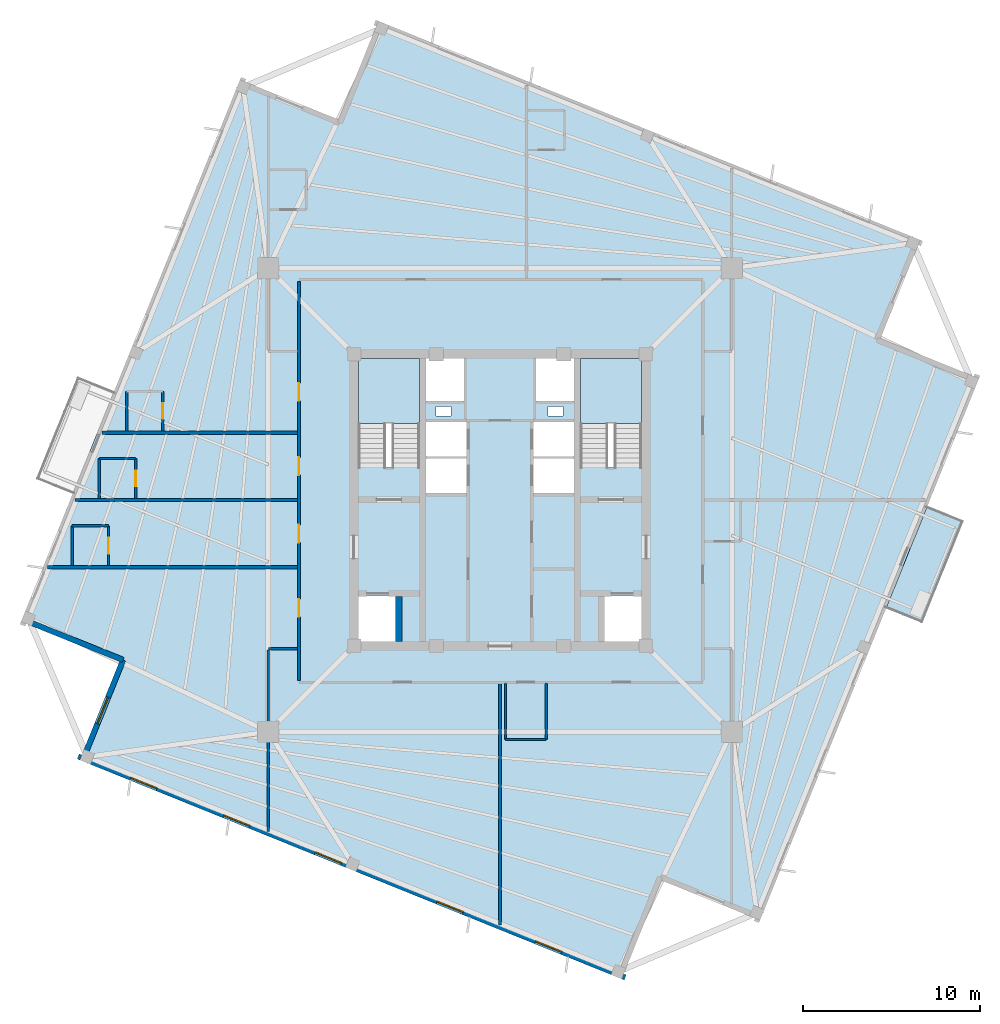
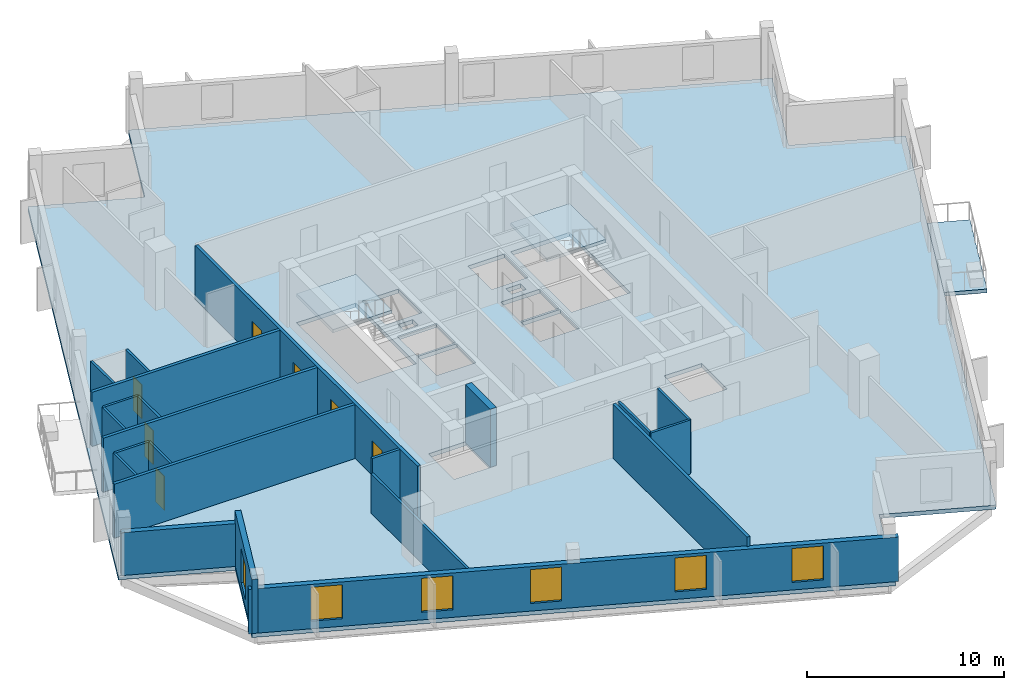
# One storey, part 2 of 8: 22 walls, 7 doors, 6 windows, 4 slabs, 13 openings, 2 elements without a shape of their own.
"""IFC4 building model written with IfcOpenShell, lengths in metres."""

from ifc_helpers import new_model, si_unit, direction, frame, frame_2d, origin, place, context, subcontext, project, spatial, polyline, rectangle, outline, extrude, source, transform, mapped, material, layer, layer_set, type_object, element, fill, aggregate, save


model = new_model("IFC4")

# Units and contexts
model_context = context("Model", 3, precision=1e-05, world=origin(), true_north=direction((0.0, 1.0)))
body_context = subcontext(model_context, "Body", "Model", "MODEL_VIEW")
ifc_project = project(units=[si_unit("LENGTHUNIT", "METRE"), si_unit("AREAUNIT", "SQUARE_METRE"), si_unit("VOLUMEUNIT", "CUBIC_METRE"), si_unit("PLANEANGLEUNIT", "RADIAN"), si_unit("MASSUNIT", "GRAM", prefix="KILO"), si_unit("THERMODYNAMICTEMPERATUREUNIT", "KELVIN")], contexts=[model_context])

# Site, building, storey
site_placement = place(None, origin())
site = spatial("IfcSite", under=ifc_project, at=site_placement, CompositionType="ELEMENT")
building_placement = place(site_placement, origin())
building = spatial("IfcBuilding", under=site, at=building_placement, Name="Kosmvard Interchange Tower", CompositionType="ELEMENT")
storey_placement = place(building_placement, frame((0.0, 0.0, 290.39990234375)))
storey = spatial("IfcBuildingStorey", under=building, at=storey_placement, Name="L71", CompositionType="ELEMENT", Elevation=290.39990234375)

# Slab
ifc_material_1 = material(Name="Concrete C50/60", Category="concrete")
ifc_layer_1 = layer(ifc_material_1, 0.25, Name="Concrete C50/60")
ifc_layer_set_1 = layer_set([ifc_layer_1], Name="Concrete C50/60")
slab_type_1 = type_object("IfcSlabType", Name="Hotel Acoustic Floor Slab 250 C50/60", PredefinedType="FLOOR", material=ifc_layer_set_1)
slab_1_placement = place(storey_placement, frame((0.0, 0.0, -0.25)))
element("IfcSlab", 1, at=slab_1_placement, inside=storey, type_object=slab_type_1, Name="L71 Structural Floor Slab", PredefinedType="FLOOR", context=body_context, shape_type="SweptSolid", body=[
    extrude(outline(polyline([(14.6806640625, -23.727294921875), (27.042724609375, 6.869873046875), (21.4794921875, 9.117431640625), (23.727294921875, 14.6806640625), (-6.869873046875, 27.042724609375), (-9.117431640625, 21.4794921875), (-14.6806640625, 23.727294921875), (-27.042724609375, -6.869873046875), (-21.4794921875, -9.117431640625), (-23.727294921875, -14.6806640625), (6.869873046875, -27.042724609375), (9.117431640625, -21.4794921875), (14.6806640625, -23.727294921875)]), holes=[polyline([(-8.0, 1.8349609375), (-4.5400390625, 1.8349609375), (-4.5400390625, 8.0), (-8.0, 8.0), (-8.0, 1.8349609375)]), polyline([(4.5400390625, 1.8349609375), (8.0, 1.8349609375), (8.0, 8.0), (4.5400390625, 8.0), (4.5400390625, 1.8349609375)]), polyline([(-8.0, -8.0), (-5.800048828125, -8.0), (-5.800048828125, -5.39990234375), (-8.0, -5.39990234375), (-8.0, -8.0)]), polyline([(5.800048828125, -8.0), (8.0, -8.0), (8.0, -5.39990234375), (5.800048828125, -5.39990234375), (5.800048828125, -8.0)]), polyline([(-4.179931640625, 0.39990234375), (-1.8798828125, 0.39990234375), (-1.8798828125, 2.340087890625), (-4.179931640625, 2.340087890625), (-4.179931640625, 0.39990234375)]), polyline([(-4.179931640625, 2.4599609375), (-1.8798828125, 2.4599609375), (-1.8798828125, 4.39990234375), (-4.179931640625, 4.39990234375), (-4.179931640625, 2.4599609375)]), polyline([(1.8798828125, 0.39990234375), (4.179931640625, 0.39990234375), (4.179931640625, 2.340087890625), (1.8798828125, 2.340087890625), (1.8798828125, 0.39990234375)]), polyline([(1.8798828125, 2.4599609375), (4.179931640625, 2.4599609375), (4.179931640625, 4.39990234375), (1.8798828125, 4.39990234375), (1.8798828125, 2.4599609375)]), polyline([(-4.179931640625, 5.60009765625), (-2.0400390625, 5.60009765625), (-2.0400390625, 8.0), (-4.179931640625, 8.0), (-4.179931640625, 5.60009765625)]), polyline([(2.0400390625, 5.60009765625), (4.179931640625, 5.60009765625), (4.179931640625, 8.0), (2.0400390625, 8.0), (2.0400390625, 5.60009765625)]), polyline([(-3.614990234375, 4.739990234375), (-2.764892578125, 4.739990234375), (-2.764892578125, 5.2900390625), (-3.614990234375, 5.2900390625), (-3.614990234375, 4.739990234375)]), polyline([(2.715087890625, 4.739990234375), (3.56494140625, 4.739990234375), (3.56494140625, 5.2900390625), (2.715087890625, 5.2900390625), (2.715087890625, 4.739990234375)])]), origin(), (0.0, 0.0, 1.0), 0.25),
])

# Stair, slab
stair_type = type_object("IfcStairType", Name="Dog-Leg Core Exit Stair H3600 C50/60", PredefinedType="HALF_TURN_STAIR", material=ifc_material_1)
stair_1_placement = place(storey_placement, origin())
stair_1 = element("IfcStair", 2, at=stair_1_placement, inside=storey, type_object=stair_type, Name="L71 Protected Exit Stair ST-1", PredefinedType="HALF_TURN_STAIR")
ifc_layer_2 = layer(ifc_material_1, 0.199951171875, Name="Concrete C50/60")
ifc_layer_set_2 = layer_set([ifc_layer_2], Name="Concrete C50/60")
slab_type_2 = type_object("IfcSlabType", Name="Stair Half-Landing Slab 200 C50/60", PredefinedType="LANDING", material=ifc_layer_set_2)
slab_2_placement = place(storey_placement, frame((0.0, 0.0, 1.60009765625)))
slab_2 = element("IfcSlab", 3, at=slab_2_placement, type_object=slab_type_2, Name="ST-1 landing 1", PredefinedType="LANDING", context=body_context, shape_type="SweptSolid", body=[
    extrude(outline(polyline([(-4.5400390625, 4.320068359375), (-4.5400390625, 8.0), (-8.0, 8.0), (-8.0, 4.320068359375), (-4.5400390625, 4.320068359375)])), origin(), (0.0, 0.0, 1.0), 0.199951171875),
])
aggregate(stair_1, [slab_2])

stair_2_placement = place(storey_placement, origin())
stair_2 = element("IfcStair", 4, at=stair_2_placement, inside=storey, type_object=stair_type, Name="L71 Protected Exit Stair ST-2", PredefinedType="HALF_TURN_STAIR")
slab_3_placement = place(storey_placement, frame((0.0, 0.0, 1.60009765625)))
slab_3 = element("IfcSlab", 5, at=slab_3_placement, type_object=slab_type_2, Name="ST-2 landing 1", PredefinedType="LANDING", context=body_context, shape_type="SweptSolid", body=[
    extrude(outline(polyline([(8.0, 4.320068359375), (8.0, 8.0), (4.5400390625, 8.0), (4.5400390625, 4.320068359375), (8.0, 4.320068359375)])), origin(), (0.0, 0.0, 1.0), 0.199951171875),
])
aggregate(stair_2, [slab_3])

# Slab
ifc_layer_3 = layer(ifc_material_1, 0.22998046875, Name="Concrete C50/60")
ifc_layer_set_3 = layer_set([ifc_layer_3], Name="Concrete C50/60")
slab_type_3 = type_object("IfcSlabType", Name="Tree-Planter Cantilever Balcony Slab 230 C50/60", PredefinedType="FLOOR", material=ifc_layer_set_3)
slab_4_placement = place(storey_placement, frame((0.0, 0.0, -0.22998046875)))
element("IfcSlab", 6, at=slab_4_placement, inside=storey, type_object=slab_type_3, Name="L71 Outdoor Terrace Balcony Slab BAL-L71-SW", PredefinedType="FLOOR", context=body_context, shape_type="SweptSolid", body=[
    extrude(outline(polyline([(23.837890625, -6.934814453125), (26.160400390625, -1.186279296875), (24.12060546875, -0.362060546875), (21.798095703125, -6.110595703125), (23.837890625, -6.934814453125)])), origin(), (0.0, 0.0, 1.0), 0.22998046875),
])

# Walls
ifc_material_2 = material(Name="Acoustic gypsum partition system")
ifc_layer_4 = layer(ifc_material_2, 0.14990234375, Name="Acoustic gypsum partition system")
ifc_layer_set_4 = layer_set([ifc_layer_4], Name="Acoustic gypsum partition system")
wall_type_1 = type_object("IfcWallType", Name="Acoustic Suite & Meeting Partition 150", PredefinedType="PARTITIONING", material=ifc_layer_set_4)
wall_1_placement = place(storey_placement, frame((-11.445068359375, -8.39990234375, 0.0), z_axis=(0.0, 0.0, 1.0), x_axis=(-1.0, 0.0, 0.0)))
element("IfcWall", 7, at=wall_1_placement, inside=storey, type_object=wall_type_1, Name="L71 Room Partition 13.1", PredefinedType="PARTITIONING", context=body_context, shape_type="SweptSolid", body=[
    extrude(rectangle(XDim=1.635986328125, YDim=0.14990234375, at=frame_2d((0.81787109375, 0.0))), origin(), (0.0, 0.0, 1.0), 3.35009765625),
])
wall_2_placement = place(storey_placement, frame((-13.0810546875, -8.47509765625, 0.0), z_axis=(0.0, 0.0, 1.0), x_axis=(0.0, -1.0, 0.0)))
element("IfcWall", 8, at=wall_2_placement, inside=storey, type_object=wall_type_1, Name="L71 Room Partition 14.1", PredefinedType="PARTITIONING", context=body_context, shape_type="SweptSolid", body=[
    extrude(rectangle(XDim=10.24267578125, YDim=0.14990234375, at=frame_2d((5.121337890625, 0.0))), origin(), (0.0, 0.0, 1.0), 2.4501953125),
])

# Wall, openings, doors
ifc_material_3 = material(Name="Fire-rated gypsum partition system")
ifc_layer_5 = layer(ifc_material_3, 0.179931640625, Name="Fire-rated gypsum partition system")
ifc_layer_set_5 = layer_set([ifc_layer_5], Name="Fire-rated gypsum partition system")
wall_type_2 = type_object("IfcWallType", Name="Corridor & Hotel Compartment Partition 180", PredefinedType="PARTITIONING", material=ifc_layer_set_5)
wall_3_placement = place(storey_placement, frame((-11.35009765625, -10.199951171875, 0.0), z_axis=(0.0, 0.0, 1.0), x_axis=(0.0, 1.0, 0.0)))
wall_3 = element("IfcWall", 9, at=wall_3_placement, inside=storey, type_object=wall_type_2, Name="L71 Corridor Wall CW", PredefinedType="PARTITIONING", context=body_context, shape_type="SweptSolid", body=[
    extrude(rectangle(XDim=22.550048828125, YDim=0.179931640625, at=frame_2d((11.27490234375, 0.0))), origin(), (0.0, 0.0, 1.0), 3.35009765625),
])
opening_1_placement = place(wall_3_placement, frame((11.60009765625, 0.0, 0.0)))
opening_1 = element("IfcOpeningElement", 10, at=opening_1_placement, cuts=wall_3, Name="Opening L71-D02", PredefinedType="OPENING", context=body_context, shape_type="SweptSolid", body=[
    extrude(rectangle(XDim=1.0, YDim=2.14990234375, at=frame_2d((0.5, 1.074951171875))), frame((0.0, 0.10009765625, 0.0), z_axis=(0.0, -1.0, 0.0), x_axis=(1.0, 0.0, 0.0)), (0.0, 0.0, 1.0), 0.199951171875),
])
opening_2_placement = place(wall_3_placement, frame((15.800048828125, 0.0, 0.0)))
opening_2 = element("IfcOpeningElement", 11, at=opening_2_placement, cuts=wall_3, Name="Opening L71-D04", PredefinedType="OPENING", context=body_context, shape_type="SweptSolid", body=[
    extrude(rectangle(XDim=1.0, YDim=2.14990234375, at=frame_2d((0.5, 1.074951171875))), frame((0.0, 0.10009765625, 0.0), z_axis=(0.0, -1.0, 0.0), x_axis=(1.0, 0.0, 0.0)), (0.0, 0.0, 1.0), 0.199951171875),
])
opening_3_placement = place(wall_3_placement, frame((3.60009765625, 0.0, 0.0)))
opening_3 = element("IfcOpeningElement", 12, at=opening_3_placement, cuts=wall_3, Name="Opening L71-D15", PredefinedType="OPENING", context=body_context, shape_type="SweptSolid", body=[
    extrude(rectangle(XDim=1.0, YDim=2.14990234375, at=frame_2d((0.5, 1.074951171875))), frame((0.0, 0.10009765625, 0.0), z_axis=(0.0, -1.0, 0.0), x_axis=(1.0, 0.0, 0.0)), (0.0, 0.0, 1.0), 0.199951171875),
])
opening_4_placement = place(wall_3_placement, frame((7.800048828125, 0.0, 0.0)))
opening_4 = element("IfcOpeningElement", 13, at=opening_4_placement, cuts=wall_3, Name="Opening L71-D16", PredefinedType="OPENING", context=body_context, shape_type="SweptSolid", body=[
    extrude(rectangle(XDim=1.0, YDim=2.14990234375, at=frame_2d((0.5, 1.074951171875))), frame((0.0, 0.10009765625, 0.0), z_axis=(0.0, -1.0, 0.0), x_axis=(1.0, 0.0, 0.0)), (0.0, 0.0, 1.0), 0.199951171875),
])
ifc_material_4 = material(Name="Engineered oak fire-rated timber", Category="wood")
door_type_1 = type_object("IfcDoorType", Name="Hotel Guestroom Entrance Door 1000x2150 EI60", OperationType="NOTDEFINED", PredefinedType="DOOR", material=ifc_material_4)
shared_shape_1 = source(origin(), body_context, "Body", "SweptSolid", [
    extrude(rectangle(XDim=1.0, YDim=2.14990234375, at=frame_2d((0.5, 1.074951171875))), frame((0.0, 0.02490234375, 0.0), z_axis=(0.0, -1.0, 0.0), x_axis=(1.0, 0.0, 0.0)), (0.0, 0.0, 1.0), 0.050048828125),
])
door_1_placement = place(opening_1_placement, origin())
door_1 = element("IfcDoor", 14, at=door_1_placement, inside=storey, type_object=door_type_1, Name="L71 Hotel Diplomatic Suite 1 Door", OperationType="SINGLE_SWING_RIGHT", OverallHeight=2.14990234375, OverallWidth=1.0, PredefinedType="DOOR", context=body_context, shape_type="MappedRepresentation", body=[
    mapped(shared_shape_1, transform((0.0, 0.0, 0.0), scale=1.0)),
])
fill(opening_1, door_1)
door_2_placement = place(opening_2_placement, origin())
door_2 = element("IfcDoor", 15, at=door_2_placement, inside=storey, type_object=door_type_1, Name="L71 Hotel Ambassador Suite 2 Door", OperationType="SINGLE_SWING_RIGHT", OverallHeight=2.14990234375, OverallWidth=1.0, PredefinedType="DOOR", context=body_context, shape_type="MappedRepresentation", body=[
    mapped(shared_shape_1, transform((0.0, 0.0, 0.0), scale=1.0)),
])
fill(opening_2, door_2)
door_3_placement = place(opening_3_placement, origin())
door_3 = element("IfcDoor", 16, at=door_3_placement, inside=storey, type_object=door_type_1, Name="L71 Hotel Treaty Briefing Room 2 Door", OperationType="SINGLE_SWING_LEFT", OverallHeight=2.14990234375, OverallWidth=1.0, PredefinedType="DOOR", context=body_context, shape_type="MappedRepresentation", body=[
    mapped(shared_shape_1, transform((0.0, 0.0, 0.0), scale=1.0)),
])
fill(opening_3, door_3)
door_4_placement = place(opening_4_placement, origin())
door_4 = element("IfcDoor", 17, at=door_4_placement, inside=storey, type_object=door_type_1, Name="L71 Hotel North-West Corner Suite 6 Door", OperationType="SINGLE_SWING_RIGHT", OverallHeight=2.14990234375, OverallWidth=1.0, PredefinedType="DOOR", context=body_context, shape_type="MappedRepresentation", body=[
    mapped(shared_shape_1, transform((0.0, 0.0, 0.0), scale=1.0)),
])
fill(opening_4, door_4)

# Walls
wall_4_placement = place(storey_placement, frame((0.0, -10.39501953125, 0.0), z_axis=(0.0, 0.0, 1.0), x_axis=(0.0, -1.0, 0.0)))
element("IfcWall", 18, at=wall_4_placement, inside=storey, type_object=wall_type_2, Name="L71 Room Partition 03.1", PredefinedType="PARTITIONING", context=body_context, shape_type="SweptSolid", body=[
    extrude(rectangle(XDim=13.607666015625, YDim=0.179931640625, at=frame_2d((6.8037109375, 0.0))), origin(), (0.0, 0.0, 1.0), 3.35009765625),
])
wall_5_placement = place(storey_placement, frame((-11.445068359375, -3.800048828125, 0.0), z_axis=(0.0, 0.0, 1.0), x_axis=(-1.0, 0.0, 0.0)))
element("IfcWall", 19, at=wall_5_placement, inside=storey, type_object=wall_type_2, Name="L71 Room Partition 04.1", PredefinedType="PARTITIONING", context=body_context, shape_type="SweptSolid", body=[
    extrude(rectangle(XDim=14.093017578125, YDim=0.179931640625, at=frame_2d((7.04638671875, 0.0))), origin(), (0.0, 0.0, 1.0), 3.35009765625),
])
wall_6_placement = place(storey_placement, frame((-11.445068359375, 0.0, 0.0), z_axis=(0.0, 0.0, 1.0), x_axis=(-1.0, 0.0, 0.0)))
element("IfcWall", 20, at=wall_6_placement, inside=storey, type_object=wall_type_2, Name="L71 Room Partition 05.1", PredefinedType="PARTITIONING", context=body_context, shape_type="SweptSolid", body=[
    extrude(rectangle(XDim=12.5576171875, YDim=0.179931640625, at=frame_2d((6.27880859375, 0.0))), origin(), (0.0, 0.0, 1.0), 3.35009765625),
])
wall_7_placement = place(storey_placement, frame((-11.445068359375, 3.800048828125, 0.0), z_axis=(0.0, 0.0, 1.0), x_axis=(-1.0, 0.0, 0.0)))
element("IfcWall", 21, at=wall_7_placement, inside=storey, type_object=wall_type_2, Name="L71 Room Partition 06.1", PredefinedType="PARTITIONING", context=body_context, shape_type="SweptSolid", body=[
    extrude(rectangle(XDim=11.0224609375, YDim=0.179931640625, at=frame_2d((5.51123046875, 0.0))), origin(), (0.0, 0.0, 1.0), 3.35009765625),
])
ifc_material_5 = material(Name="Concrete C60/75", Category="concrete")
ifc_layer_6 = layer(ifc_material_5, 0.360107421875, Name="Concrete C60/75")
ifc_layer_set_6 = layer_set([ifc_layer_6], Name="Concrete C60/75")
wall_type_3 = type_object("IfcWallType", Name="Stair & Lift Shaft Shear Wall 360 C60/75", PredefinedType="SHEAR", material=ifc_layer_set_6)
wall_8_placement = place(storey_placement, frame((-5.7099609375, -8.0, 0.0), z_axis=(0.0, 0.0, 1.0), x_axis=(0.0, 1.0, 0.0)))
element("IfcWall", 22, at=wall_8_placement, inside=storey, type_object=wall_type_3, Name="L71 Shaft Shear Wall SW-SM1", PredefinedType="SHEAR", context=body_context, shape_type="SweptSolid", body=[
    extrude(rectangle(XDim=2.5400390625, YDim=0.360107421875, at=frame_2d((1.27001953125, 0.0))), origin(), (0.0, 0.0, 1.0), 3.60009765625),
])
ifc_material_6 = material(Name="Precast concrete C45/55", Category="concrete")
ifc_layer_7 = layer(ifc_material_6, 0.31005859375, Name="Precast concrete C45/55")
ifc_layer_set_7 = layer_set([ifc_layer_7], Name="Precast concrete C45/55")
wall_type_4 = type_object("IfcWallType", Name="Upper Tower Precast Pier Wall 310 C45/55", PredefinedType="STANDARD", material=ifc_layer_set_7)
wall_9_placement = place(storey_placement, frame((-26.8408203125, -6.7841796875, 0.0), z_axis=(0.0, 0.0, 1.0), x_axis=(0.927171722085, -0.374636620962, 0.0)))
element("IfcWall", 23, at=wall_9_placement, inside=storey, type_object=wall_type_4, Name="L71 Precast Facade Wall N-NW1", PredefinedType="STANDARD", context=body_context, shape_type="SweptSolid", body=[
    extrude(rectangle(XDim=6.0, YDim=0.31005859375, at=frame_2d((3.0, 0.0))), origin(), (0.0, 0.0, 1.0), 2.650146484375),
])

# Wall, opening, window
wall_10_placement = place(storey_placement, frame((-21.27783203125, -9.031982421875, 0.0), z_axis=(0.0, 0.0, 1.0), x_axis=(-0.374602739196, -0.927185411764, 0.0)))
wall_10 = element("IfcWall", 24, at=wall_10_placement, inside=storey, type_object=wall_type_4, Name="L71 Precast Facade Wall N-NW2", PredefinedType="STANDARD", context=body_context, shape_type="SweptSolid", body=[
    extrude(rectangle(XDim=6.155029296875, YDim=0.31005859375, at=frame_2d((3.07763671875, 0.0))), origin(), (0.0, 0.0, 1.0), 3.35009765625),
])
opening_5_placement = place(wall_10_placement, frame((2.277587890625, 0.0, 0.469970703125)))
opening_5 = element("IfcOpeningElement", 25, at=opening_5_placement, cuts=wall_10, Name="Opening L71-W20", PredefinedType="OPENING", context=body_context, shape_type="SweptSolid", body=[
    extrude(rectangle(XDim=1.60009765625, YDim=2.10009765625, at=frame_2d((0.800048828125, 1.050048828125))), frame((0.0, 0.1650390625, 0.0), z_axis=(0.0, -1.0, 0.0), x_axis=(1.0, 0.0, 0.0)), (0.0, 0.0, 1.0), 0.330078125),
])
ifc_material_7 = material(Name="Low-E acoustic double glazing", Category="glass")
window_type = type_object("IfcWindowType", Name="Zone 5 Hotel Punched Window 1600x2100", PartitioningType="SINGLE_PANEL", PredefinedType="WINDOW", material=ifc_material_7)
shared_shape_2 = source(origin(), body_context, "Body", "SweptSolid", [
    extrude(rectangle(XDim=1.60009765625, YDim=2.10009765625, at=frame_2d((0.800048828125, 1.050048828125))), frame((0.0, 0.030029296875, 0.0), z_axis=(0.0, -1.0, 0.0), x_axis=(1.0, 0.0, 0.0)), (0.0, 0.0, 1.0), 0.06005859375),
])
window_1_placement = place(opening_5_placement, origin())
window_1 = element("IfcWindow", 26, at=window_1_placement, inside=storey, type_object=window_type, Name="L71 Corner Notch Window 20", OverallHeight=2.10009765625, OverallWidth=1.60009765625, PartitioningType="SINGLE_PANEL", PredefinedType="WINDOW", context=body_context, shape_type="MappedRepresentation", body=[
    mapped(shared_shape_2, transform((0.0, 0.0, 0.0), scale=1.0)),
])
fill(opening_5, window_1)

# Wall, openings, windows
wall_11_placement = place(storey_placement, frame((-23.812744140625, -14.478759765625, 0.0), z_axis=(0.0, 0.0, 1.0), x_axis=(0.927182657188, -0.374609557019, 0.0)))
wall_11 = element("IfcWall", 27, at=wall_11_placement, inside=storey, type_object=wall_type_4, Name="L71 Precast Facade Wall F-W", PredefinedType="STANDARD", context=body_context, shape_type="SweptSolid", body=[
    extrude(rectangle(XDim=33.31005859375, YDim=0.31005859375, at=frame_2d((16.655029296875, 0.0))), origin(), (0.0, 0.0, 1.0), 2.75),
])
opening_6_placement = place(wall_11_placement, frame((3.197265625, 0.0, 0.469970703125)))
opening_6 = element("IfcOpeningElement", 28, at=opening_6_placement, cuts=wall_11, Name="Opening L71-W13", PredefinedType="OPENING", context=body_context, shape_type="SweptSolid", body=[
    extrude(rectangle(XDim=1.60009765625, YDim=2.10009765625, at=frame_2d((0.800048828125, 1.050048828125))), frame((0.0, 0.1650390625, 0.0), z_axis=(0.0, -1.0, 0.0), x_axis=(1.0, 0.0, 0.0)), (0.0, 0.0, 1.0), 0.330078125),
])
opening_7_placement = place(wall_11_placement, frame((8.85986328125, 0.0, 0.469970703125)))
opening_7 = element("IfcOpeningElement", 29, at=opening_7_placement, cuts=wall_11, Name="Opening L71-W14", PredefinedType="OPENING", context=body_context, shape_type="SweptSolid", body=[
    extrude(rectangle(XDim=1.60009765625, YDim=2.10009765625, at=frame_2d((0.800048828125, 1.050048828125))), frame((0.0, 0.1650390625, 0.0), z_axis=(0.0, -1.0, 0.0), x_axis=(1.0, 0.0, 0.0)), (0.0, 0.0, 1.0), 0.330078125),
])
opening_8_placement = place(wall_11_placement, frame((14.438720703125, 0.0, 0.469970703125)))
opening_8 = element("IfcOpeningElement", 30, at=opening_8_placement, cuts=wall_11, Name="Opening L71-W15", PredefinedType="OPENING", context=body_context, shape_type="SweptSolid", body=[
    extrude(rectangle(XDim=1.60009765625, YDim=2.10009765625, at=frame_2d((0.800048828125, 1.050048828125))), frame((0.0, 0.1650390625, 0.0), z_axis=(0.0, -1.0, 0.0), x_axis=(1.0, 0.0, 0.0)), (0.0, 0.0, 1.0), 0.330078125),
])
opening_9_placement = place(wall_11_placement, frame((21.850830078125, 0.0, 0.469970703125)))
opening_9 = element("IfcOpeningElement", 31, at=opening_9_placement, cuts=wall_11, Name="Opening L71-W16", PredefinedType="OPENING", context=body_context, shape_type="SweptSolid", body=[
    extrude(rectangle(XDim=1.60009765625, YDim=2.10009765625, at=frame_2d((0.800048828125, 1.050048828125))), frame((0.0, 0.1650390625, 0.0), z_axis=(0.0, -1.0, 0.0), x_axis=(1.0, 0.0, 0.0)), (0.0, 0.0, 1.0), 0.330078125),
])
opening_10_placement = place(wall_11_placement, frame((27.8466796875, 0.0, 0.469970703125)))
opening_10 = element("IfcOpeningElement", 32, at=opening_10_placement, cuts=wall_11, Name="Opening L71-W17", PredefinedType="OPENING", context=body_context, shape_type="SweptSolid", body=[
    extrude(rectangle(XDim=1.60009765625, YDim=2.10009765625, at=frame_2d((0.800048828125, 1.050048828125))), frame((0.0, 0.1650390625, 0.0), z_axis=(0.0, -1.0, 0.0), x_axis=(1.0, 0.0, 0.0)), (0.0, 0.0, 1.0), 0.330078125),
])
window_2_placement = place(opening_6_placement, origin())
window_2 = element("IfcWindow", 33, at=window_2_placement, inside=storey, type_object=window_type, Name="L71 Facade Punched Window 13", OverallHeight=2.10009765625, OverallWidth=1.60009765625, PartitioningType="SINGLE_PANEL", PredefinedType="WINDOW", context=body_context, shape_type="MappedRepresentation", body=[
    mapped(shared_shape_2, transform((0.0, 0.0, 0.0), scale=1.0)),
])
fill(opening_6, window_2)
window_3_placement = place(opening_7_placement, origin())
window_3 = element("IfcWindow", 34, at=window_3_placement, inside=storey, type_object=window_type, Name="L71 Facade Punched Window 14", OverallHeight=2.10009765625, OverallWidth=1.60009765625, PartitioningType="SINGLE_PANEL", PredefinedType="WINDOW", context=body_context, shape_type="MappedRepresentation", body=[
    mapped(shared_shape_2, transform((0.0, 0.0, 0.0), scale=1.0)),
])
fill(opening_7, window_3)
window_4_placement = place(opening_8_placement, origin())
window_4 = element("IfcWindow", 35, at=window_4_placement, inside=storey, type_object=window_type, Name="L71 Facade Punched Window 15", OverallHeight=2.10009765625, OverallWidth=1.60009765625, PartitioningType="SINGLE_PANEL", PredefinedType="WINDOW", context=body_context, shape_type="MappedRepresentation", body=[
    mapped(shared_shape_2, transform((0.0, 0.0, 0.0), scale=1.0)),
])
fill(opening_8, window_4)
window_5_placement = place(opening_9_placement, origin())
window_5 = element("IfcWindow", 36, at=window_5_placement, inside=storey, type_object=window_type, Name="L71 Facade Punched Window 16", OverallHeight=2.10009765625, OverallWidth=1.60009765625, PartitioningType="SINGLE_PANEL", PredefinedType="WINDOW", context=body_context, shape_type="MappedRepresentation", body=[
    mapped(shared_shape_2, transform((0.0, 0.0, 0.0), scale=1.0)),
])
fill(opening_9, window_5)
window_6_placement = place(opening_10_placement, origin())
window_6 = element("IfcWindow", 37, at=window_6_placement, inside=storey, type_object=window_type, Name="L71 Facade Punched Window 17", OverallHeight=2.10009765625, OverallWidth=1.60009765625, PartitioningType="SINGLE_PANEL", PredefinedType="WINDOW", context=body_context, shape_type="MappedRepresentation", body=[
    mapped(shared_shape_2, transform((0.0, 0.0, 0.0), scale=1.0)),
])
fill(opening_10, window_6)

# Walls
ifc_material_8 = material(Name="Moisture-resistant gypsum partition")
ifc_layer_8 = layer(ifc_material_8, 0.135009765625, Name="Moisture-resistant gypsum partition")
ifc_layer_set_8 = layer_set([ifc_layer_8], Name="Moisture-resistant gypsum partition")
wall_type_5 = type_object("IfcWallType", Name="Wet Room Moisture-Resistant Partition 135", PredefinedType="PARTITIONING", material=ifc_layer_set_8)
wall_12_placement = place(storey_placement, frame((0.31103515625, -13.52001953125, 0.0), z_axis=(0.0, 0.0, 1.0), x_axis=(1.0, 0.0, 0.0)))
element("IfcWall", 38, at=wall_12_placement, inside=storey, type_object=wall_type_5, Name="L71 Washroom Partition HAWC-S", PredefinedType="PARTITIONING", context=body_context, shape_type="SweptSolid", body=[
    extrude(rectangle(XDim=2.300048828125, YDim=0.135009765625, at=frame_2d((1.14990234375, 0.0))), origin(), (0.0, 0.0, 1.0), 3.35009765625),
])
for number, where, z_axis, x_axis, name in (
    (39, (2.611083984375, -13.52001953125, 0.0), (0.0, 0.0, 1.0), (0.0, 1.0, 0.0), "L71 Washroom Partition HAWC-E"),
    (40, (0.31103515625, -13.52001953125, 0.0), (0.0, 0.0, 1.0), (0.0, 1.0, 0.0), "L71 Washroom Partition HAWC-W"),
):
    element("IfcWall", number, at=place(storey_placement, frame(where, z_axis=z_axis, x_axis=x_axis)), inside=storey, type_object=wall_type_5, Name=name, PredefinedType="PARTITIONING", context=body_context, shape_type="SweptSolid", body=[
        extrude(rectangle(XDim=3.199951171875, YDim=0.135009765625, at=frame_2d((1.60009765625, 0.0))), origin(), (0.0, 0.0, 1.0), 3.35009765625),
    ])

# Wall, opening, door
wall_13_placement = place(storey_placement, frame((-20.569580078125, 0.090087890625, 0.0), z_axis=(0.0, 0.0, 1.0), x_axis=(0.0, 1.0, 0.0)))
wall_13 = element("IfcWall", 41, at=wall_13_placement, inside=storey, type_object=wall_type_5, Name="L71 En-Suite Partition HPS1-E", PredefinedType="PARTITIONING", context=body_context, shape_type="SweptSolid", body=[
    extrude(rectangle(XDim=2.25, YDim=0.135009765625, at=frame_2d((1.125, 0.0))), origin(), (0.0, 0.0, 1.0), 3.35009765625),
])
opening_11_placement = place(wall_13_placement, frame((0.68505859375, 0.0, 0.0)))
opening_11 = element("IfcOpeningElement", 42, at=opening_11_placement, cuts=wall_13, Name="Opening L71-ED03", PredefinedType="OPENING", context=body_context, shape_type="SweptSolid", body=[
    extrude(rectangle(XDim=0.8798828125, YDim=2.10009765625, at=frame_2d((0.43994140625, 1.050048828125))), frame((0.0, 0.07763671875, 0.0), z_axis=(0.0, -1.0, 0.0), x_axis=(1.0, 0.0, 0.0)), (0.0, 0.0, 1.0), 0.155029296875),
])
ifc_material_9 = material(Name="Laminated moisture-resistant timber", Category="wood")
door_type_2 = type_object("IfcDoorType", Name="En-Suite & Washroom Door 880x2100", OperationType="NOTDEFINED", PredefinedType="DOOR", material=ifc_material_9)
shared_shape_3 = source(origin(), body_context, "Body", "SweptSolid", [
    extrude(rectangle(XDim=0.8798828125, YDim=2.10009765625, at=frame_2d((0.43994140625, 1.050048828125))), frame((0.0, 0.02490234375, 0.0), z_axis=(0.0, -1.0, 0.0), x_axis=(1.0, 0.0, 0.0)), (0.0, 0.0, 1.0), 0.050048828125),
])
door_5_placement = place(opening_11_placement, origin())
door_5 = element("IfcDoor", 43, at=door_5_placement, inside=storey, type_object=door_type_2, Name="L71 HPS1 En-Suite Door", OperationType="SINGLE_SWING_RIGHT", OverallHeight=2.10009765625, OverallWidth=0.8798828125, PredefinedType="DOOR", context=body_context, shape_type="MappedRepresentation", body=[
    mapped(shared_shape_3, transform((0.0, 0.0, 0.0), scale=1.0)),
])
fill(opening_11, door_5)

# Walls
wall_14_placement = place(storey_placement, frame((-22.619384765625, 2.340087890625, 0.0), z_axis=(0.0, 0.0, 1.0), x_axis=(1.0, 0.0, 0.0)))
element("IfcWall", 44, at=wall_14_placement, inside=storey, type_object=wall_type_5, Name="L71 En-Suite Partition HPS1-N", PredefinedType="PARTITIONING", context=body_context, shape_type="SweptSolid", body=[
    extrude(rectangle(XDim=2.0498046875, YDim=0.135009765625, at=frame_2d((1.02490234375, 0.0))), origin(), (0.0, 0.0, 1.0), 3.35009765625),
])
wall_15_placement = place(storey_placement, frame((-22.619384765625, 0.090087890625, 0.0), z_axis=(0.0, 0.0, 1.0), x_axis=(0.0, 1.0, 0.0)))
element("IfcWall", 45, at=wall_15_placement, inside=storey, type_object=wall_type_5, Name="L71 En-Suite Partition HPS1-W", PredefinedType="PARTITIONING", context=body_context, shape_type="SweptSolid", body=[
    extrude(rectangle(XDim=2.25, YDim=0.135009765625, at=frame_2d((1.125, 0.0))), origin(), (0.0, 0.0, 1.0), 3.35009765625),
])

# Wall, opening, door
wall_16_placement = place(storey_placement, frame((-19.0341796875, 3.889892578125, 0.0), z_axis=(0.0, 0.0, 1.0), x_axis=(0.0, 1.0, 0.0)))
wall_16 = element("IfcWall", 46, at=wall_16_placement, inside=storey, type_object=wall_type_5, Name="L71 En-Suite Partition HPS2-E", PredefinedType="PARTITIONING", context=body_context, shape_type="SweptSolid", body=[
    extrude(rectangle(XDim=2.25, YDim=0.135009765625, at=frame_2d((1.125, 0.0))), origin(), (0.0, 0.0, 1.0), 3.35009765625),
])
opening_12_placement = place(wall_16_placement, frame((0.68505859375, 0.0, 0.0)))
opening_12 = element("IfcOpeningElement", 47, at=opening_12_placement, cuts=wall_16, Name="Opening L71-ED05", PredefinedType="OPENING", context=body_context, shape_type="SweptSolid", body=[
    extrude(rectangle(XDim=0.8798828125, YDim=2.10009765625, at=frame_2d((0.43994140625, 1.050048828125))), frame((0.0, 0.07763671875, 0.0), z_axis=(0.0, -1.0, 0.0), x_axis=(1.0, 0.0, 0.0)), (0.0, 0.0, 1.0), 0.155029296875),
])
door_6_placement = place(opening_12_placement, origin())
door_6 = element("IfcDoor", 48, at=door_6_placement, inside=storey, type_object=door_type_2, Name="L71 HPS2 En-Suite Door", OperationType="SINGLE_SWING_RIGHT", OverallHeight=2.10009765625, OverallWidth=0.8798828125, PredefinedType="DOOR", context=body_context, shape_type="MappedRepresentation", body=[
    mapped(shared_shape_3, transform((0.0, 0.0, 0.0), scale=1.0)),
])
fill(opening_12, door_6)

# Wall
wall_17_placement = place(storey_placement, frame((-21.084228515625, 3.889892578125, 0.0), z_axis=(0.0, 0.0, 1.0), x_axis=(0.0, 1.0, 0.0)))
element("IfcWall", 49, at=wall_17_placement, inside=storey, type_object=wall_type_5, Name="L71 En-Suite Partition HPS2-W", PredefinedType="PARTITIONING", context=body_context, shape_type="SweptSolid", body=[
    extrude(rectangle(XDim=2.25, YDim=0.135009765625, at=frame_2d((1.125, 0.0))), origin(), (0.0, 0.0, 1.0), 3.35009765625),
])

# Wall, opening, door
wall_18_placement = place(storey_placement, frame((-22.104736328125, -3.7099609375, 0.0), z_axis=(0.0, 0.0, 1.0), x_axis=(0.0, 1.0, 0.0)))
wall_18 = element("IfcWall", 50, at=wall_18_placement, inside=storey, type_object=wall_type_5, Name="L71 En-Suite Partition HPS6-E", PredefinedType="PARTITIONING", context=body_context, shape_type="SweptSolid", body=[
    extrude(rectangle(XDim=2.25, YDim=0.135009765625, at=frame_2d((1.125, 0.0))), origin(), (0.0, 0.0, 1.0), 3.35009765625),
])
opening_13_placement = place(wall_18_placement, frame((0.68505859375, 0.0, 0.0)))
opening_13 = element("IfcOpeningElement", 51, at=opening_13_placement, cuts=wall_18, Name="Opening L71-ED17", PredefinedType="OPENING", context=body_context, shape_type="SweptSolid", body=[
    extrude(rectangle(XDim=0.8798828125, YDim=2.10009765625, at=frame_2d((0.43994140625, 1.050048828125))), frame((0.0, 0.07763671875, 0.0), z_axis=(0.0, -1.0, 0.0), x_axis=(1.0, 0.0, 0.0)), (0.0, 0.0, 1.0), 0.155029296875),
])
door_7_placement = place(opening_13_placement, origin())
door_7 = element("IfcDoor", 52, at=door_7_placement, inside=storey, type_object=door_type_2, Name="L71 HPS6 En-Suite Door", OperationType="SINGLE_SWING_RIGHT", OverallHeight=2.10009765625, OverallWidth=0.8798828125, PredefinedType="DOOR", context=body_context, shape_type="MappedRepresentation", body=[
    mapped(shared_shape_3, transform((0.0, 0.0, 0.0), scale=1.0)),
])
fill(opening_13, door_7)

# Walls
wall_19_placement = place(storey_placement, frame((-24.15478515625, -1.4599609375, 0.0), z_axis=(0.0, 0.0, 1.0), x_axis=(1.0, 0.0, 0.0)))
element("IfcWall", 53, at=wall_19_placement, inside=storey, type_object=wall_type_5, Name="L71 En-Suite Partition HPS6-N", PredefinedType="PARTITIONING", context=body_context, shape_type="SweptSolid", body=[
    extrude(rectangle(XDim=2.050048828125, YDim=0.135009765625, at=frame_2d((1.02490234375, 0.0))), origin(), (0.0, 0.0, 1.0), 3.35009765625),
])
wall_20_placement = place(storey_placement, frame((-24.15478515625, -3.7099609375, 0.0), z_axis=(0.0, 0.0, 1.0), x_axis=(0.0, 1.0, 0.0)))
element("IfcWall", 54, at=wall_20_placement, inside=storey, type_object=wall_type_5, Name="L71 En-Suite Partition HPS6-W", PredefinedType="PARTITIONING", context=body_context, shape_type="SweptSolid", body=[
    extrude(rectangle(XDim=2.25, YDim=0.135009765625, at=frame_2d((1.125, 0.0))), origin(), (0.0, 0.0, 1.0), 3.35009765625),
])

save(model, "model.ifc")
